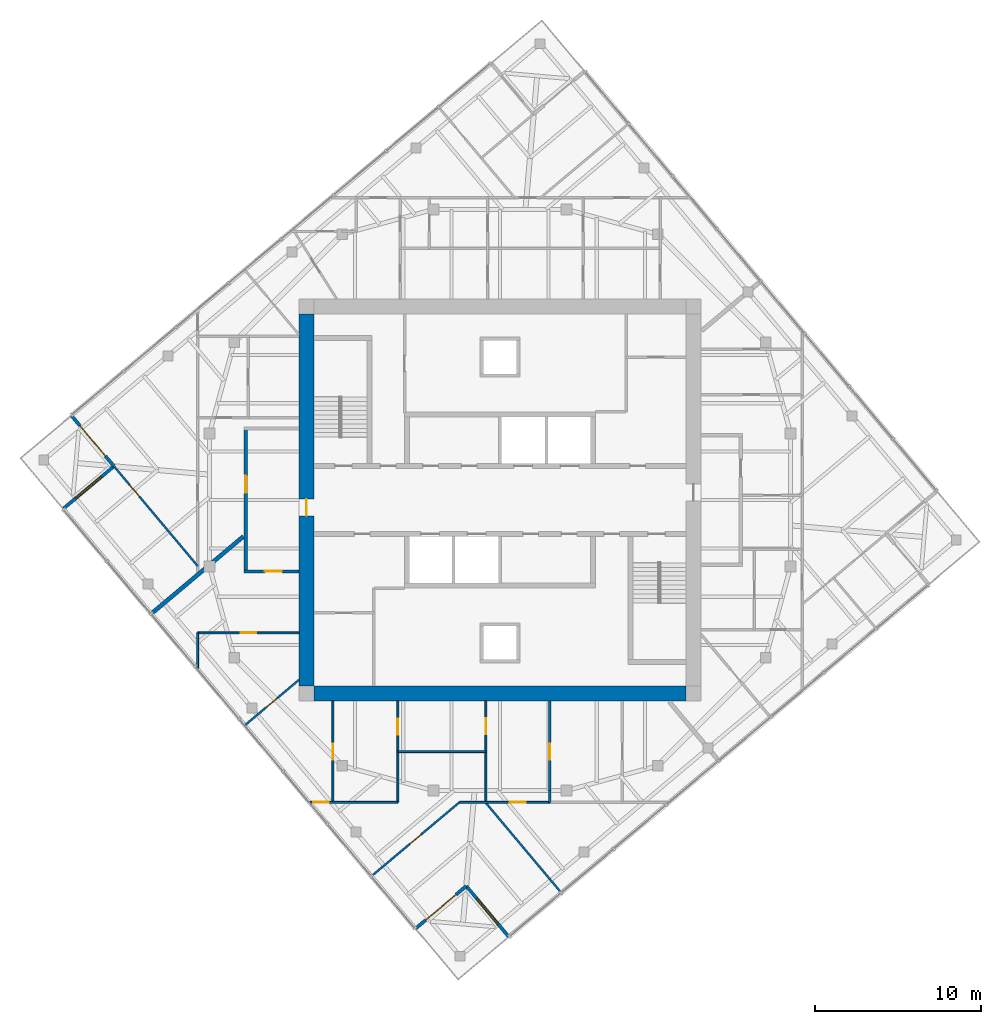
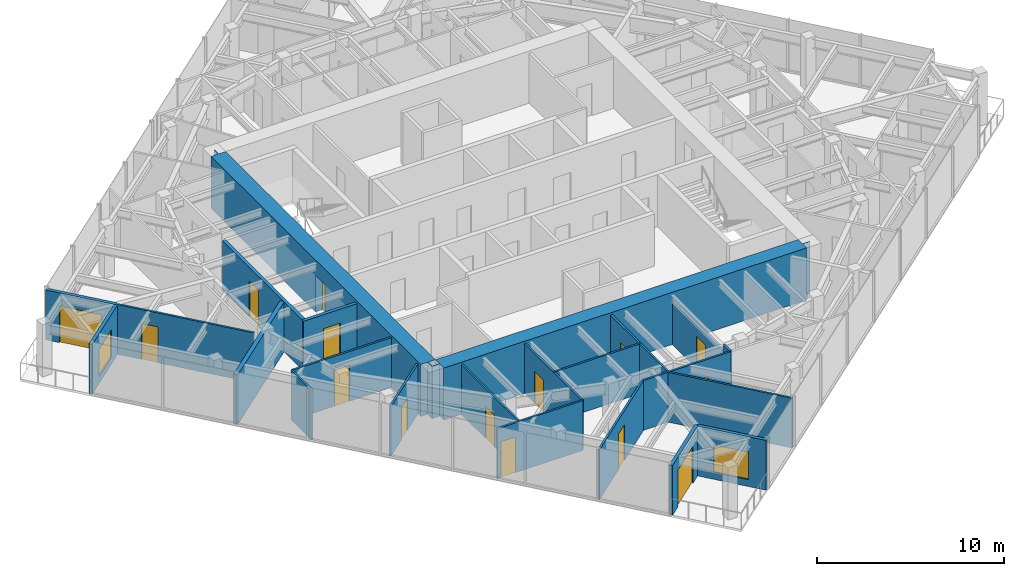
# One storey, part 7 of 12: 23 walls, 15 doors, 2 windows, 17 openings.
"""IFC4 building model written with IfcOpenShell, lengths in metres."""

from ifc_helpers import new_model, si_unit, direction, frame, frame_2d, origin, place, context, subcontext, project, spatial, polyline, rectangle, outline, extrude, material, layer, layer_set, type_object, element, fill, save


model = new_model("IFC4")

# Units and contexts
model_context = context("Model", 3, precision=1e-05, world=origin(), true_north=direction((0.0, 1.0)))
body_context = subcontext(model_context, "Body", "Model", "MODEL_VIEW")
ifc_project = project(units=[si_unit("LENGTHUNIT", "METRE"), si_unit("AREAUNIT", "SQUARE_METRE"), si_unit("VOLUMEUNIT", "CUBIC_METRE"), si_unit("PLANEANGLEUNIT", "RADIAN"), si_unit("MASSUNIT", "GRAM", prefix="KILO")], contexts=[model_context])

# Site, building, storey
site_placement = place(None, origin())
site = spatial("IfcSite", under=ifc_project, at=site_placement, CompositionType="ELEMENT")
building_placement = place(site_placement, origin())
building = spatial("IfcBuilding", under=site, at=building_placement, Name="Torsade Residences", CompositionType="ELEMENT")
storey_placement = place(building_placement, frame((0.0, 0.0, 293.0)))
storey = spatial("IfcBuildingStorey", under=building, at=storey_placement, Name="L81", CompositionType="ELEMENT", Elevation=293.0)

# Wall
ifc_material_1 = material(Name="Concrete 80 MPa", Category="concrete")
ifc_layer_1 = layer(ifc_material_1, 0.89990234375)
ifc_layer_set_1 = layer_set([ifc_layer_1], Name="Concrete 80 MPa")
wall_type_1 = type_object("IfcWallType", Name="CORE WALL 900", PredefinedType="SHEAR", material=ifc_layer_set_1)
wall_1_placement = place(storey_placement, frame((51.199951171875, 18.35009765625, 0.0), z_axis=(0.0, 0.0, 1.0), x_axis=(-1.0, 0.0, 0.0)))
element("IfcWall", 1, at=wall_1_placement, inside=storey, type_object=wall_type_1, Name="Core wall S L81", PredefinedType="SHEAR", context=body_context, shape_type="SweptSolid", body=[
    extrude(outline(polyline([(0.0, -0.449951171875), (22.39990234375, -0.449951171875), (22.39990234375, -0.02490234375), (22.849853515625, -0.02490234375), (22.849853515625, 0.02490234375), (22.39990234375, 0.02490234375), (22.39990234375, 0.449951171875), (0.0, 0.449951171875), (0.0, 0.02490234375), (-0.449951171875, 0.02490234375), (-0.449951171875, -0.02490234375), (0.0, -0.02490234375), (0.0, -0.449951171875)])), origin(), (0.0, 0.0, 1.0), 3.39990234375),
])

# Wall, opening, door
wall_2_placement = place(storey_placement, frame((28.35009765625, 41.199951171875, 0.0), z_axis=(0.0, 0.0, 1.0), x_axis=(0.0, -1.0, 0.0)))
wall_2 = element("IfcWall", 2, at=wall_2_placement, inside=storey, type_object=wall_type_1, Name="Core wall W L81", PredefinedType="SHEAR", context=body_context, shape_type="SweptSolid", body=[
    extrude(outline(polyline([(0.0, -0.449951171875), (22.39990234375, -0.449951171875), (22.39990234375, -0.02490234375), (22.849853515625, -0.02490234375), (22.849853515625, 0.02490234375), (22.39990234375, 0.02490234375), (22.39990234375, 0.449951171875), (0.0, 0.449951171875), (0.0, 0.02490234375), (-0.449951171875, 0.02490234375), (-0.449951171875, -0.02490234375), (0.0, -0.02490234375), (0.0, -0.449951171875)])), origin(), (0.0, 0.0, 1.0), 3.39990234375),
])
opening_1_placement = place(wall_2_placement, frame((11.139892578125, 0.0, 0.0)))
opening_1 = element("IfcOpeningElement", 3, at=opening_1_placement, cuts=wall_2, Name="Opening D04", PredefinedType="OPENING", context=body_context, shape_type="SweptSolid", body=[
    extrude(rectangle(XDim=1.02001953125, YDim=2.39990234375, at=frame_2d((0.510009765625, 1.199951171875))), frame((0.0, 0.4599609375, 0.0), z_axis=(0.0, -1.0, 0.0), x_axis=(1.0, 0.0, 0.0)), (0.0, 0.0, 1.0), 0.919921875),
])
ifc_material_2 = material(Name="Steel-framed fire door", Category="steel")
door_type_1 = type_object("IfcDoorType", Name="LOBBY SMOKE DOOR 1020x2400", OperationType="NOTDEFINED", PredefinedType="DOOR", material=ifc_material_2)
door_1_placement = place(opening_1_placement, origin())
door_1 = element("IfcDoor", 4, at=door_1_placement, inside=storey, type_object=door_type_1, Name="Lift lobby door W L81", OperationType="SINGLE_SWING_RIGHT", OverallHeight=2.39990234375, OverallWidth=1.02001953125, PredefinedType="DOOR", context=body_context, shape_type="SweptSolid", body=[
    extrude(rectangle(XDim=1.02001953125, YDim=2.39990234375, at=frame_2d((0.510009765625, 1.199951171875))), frame((0.0, 0.02490234375, 0.0), z_axis=(0.0, -1.0, 0.0), x_axis=(1.0, 0.0, 0.0)), (0.0, 0.0, 1.0), 0.050048828125),
])
fill(opening_1, door_1)

ifc_material_3 = material(Name="Plasterboard on steel stud", Category="steel")
ifc_layer_2 = layer(ifc_material_3, 0.199951171875)
ifc_layer_set_2 = layer_set([ifc_layer_2], Name="Plasterboard on steel stud")
wall_type_2 = type_object("IfcWallType", Name="CORRIDOR WALL 200", PredefinedType="PARTITIONING", material=ifc_layer_set_2)
wall_3_placement = place(storey_placement, frame((24.699951171875, 25.699951171875, 0.0), z_axis=(0.0, 0.0, 1.0), x_axis=(0.0, 1.0, 0.0)))
wall_3 = element("IfcWall", 5, at=wall_3_placement, inside=storey, type_object=wall_type_2, Name="Corridor wall L81", PredefinedType="PARTITIONING", context=body_context, shape_type="SweptSolid", body=[
    extrude(rectangle(XDim=8.60009765625, YDim=0.199951171875, at=frame_2d((4.300048828125, 0.0))), origin(), (0.0, 0.0, 1.0), 3.25),
])
opening_2_placement = place(wall_3_placement, frame((4.734375, 0.0, 0.0)))
opening_2 = element("IfcOpeningElement", 6, at=opening_2_placement, cuts=wall_3, Name="Opening D01", PredefinedType="OPENING", context=body_context, shape_type="SweptSolid", body=[
    extrude(rectangle(XDim=1.02001953125, YDim=2.340087890625, at=frame_2d((0.510009765625, 1.169921875))), frame((0.0, 0.10986328125, 0.0), z_axis=(0.0, -1.0, 0.0), x_axis=(1.0, 0.0, 0.0)), (0.0, 0.0, 1.0), 0.219970703125),
])
ifc_material_4 = material(Name="Solid-core timber fire door", Category="wood")
door_type_2 = type_object("IfcDoorType", Name="APARTMENT ENTRY DOOR 1020x2340", OperationType="NOTDEFINED", PredefinedType="DOOR", material=ifc_material_4)
door_2_placement = place(opening_2_placement, origin())
door_2 = element("IfcDoor", 7, at=door_2_placement, inside=storey, type_object=door_type_2, Name="Door Residential corridor to Kitchen and dining", OperationType="SINGLE_SWING_LEFT", OverallHeight=2.340087890625, OverallWidth=1.02001953125, PredefinedType="DOOR", context=body_context, shape_type="SweptSolid", body=[
    extrude(rectangle(XDim=1.02001953125, YDim=2.340087890625, at=frame_2d((0.510009765625, 1.169921875))), frame((0.0, 0.02490234375, 0.0), z_axis=(0.0, -1.0, 0.0), x_axis=(1.0, 0.0, 0.0)), (0.0, 0.0, 1.0), 0.050048828125),
])
fill(opening_2, door_2)

wall_4_placement = place(storey_placement, frame((27.89990234375, 25.699951171875, 0.0), z_axis=(0.0, 0.0, 1.0), x_axis=(-1.0, 0.0, 0.0)))
wall_4 = element("IfcWall", 8, at=wall_4_placement, inside=storey, type_object=wall_type_2, Name="Corridor wall L81", PredefinedType="PARTITIONING", context=body_context, shape_type="SweptSolid", body=[
    extrude(rectangle(XDim=3.2998046875, YDim=0.199951171875, at=frame_2d((1.64990234375, 0.0))), origin(), (0.0, 0.0, 1.0), 3.25),
])
opening_3_placement = place(wall_4_placement, frame((1.0400390625, 0.0, 0.0)))
opening_3 = element("IfcOpeningElement", 9, at=opening_3_placement, cuts=wall_4, Name="Opening D01", PredefinedType="OPENING", context=body_context, shape_type="SweptSolid", body=[
    extrude(rectangle(XDim=1.02001953125, YDim=2.340087890625, at=frame_2d((0.510009765625, 1.169921875))), frame((0.0, 0.10986328125, 0.0), z_axis=(0.0, -1.0, 0.0), x_axis=(1.0, 0.0, 0.0)), (0.0, 0.0, 1.0), 0.219970703125),
])
door_3_placement = place(opening_3_placement, origin())
door_3 = element("IfcDoor", 10, at=door_3_placement, inside=storey, type_object=door_type_2, Name="Door Residential corridor to Kitchen and dining", OperationType="SINGLE_SWING_LEFT", OverallHeight=2.340087890625, OverallWidth=1.02001953125, PredefinedType="DOOR", context=body_context, shape_type="SweptSolid", body=[
    extrude(rectangle(XDim=1.02001953125, YDim=2.340087890625, at=frame_2d((0.510009765625, 1.169921875))), frame((0.0, 0.02490234375, 0.0), z_axis=(0.0, -1.0, 0.0), x_axis=(1.0, 0.0, 0.0)), (0.0, 0.0, 1.0), 0.050048828125),
])
fill(opening_3, door_3)

ifc_material_5 = material(Name="Plasterboard on steel stud", Category="steel")
ifc_layer_3 = layer(ifc_material_5, 0.1201171875)
ifc_layer_set_3 = layer_set([ifc_layer_3], Name="Plasterboard on steel stud")
wall_type_3 = type_object("IfcWallType", Name="PARTITION 120", PredefinedType="PARTITIONING", material=ifc_layer_set_3)
wall_5_placement = place(storey_placement, frame((27.89990234375, 22.0, 0.0), z_axis=(0.0, 0.0, 1.0), x_axis=(-1.0, 0.0, 0.0)))
wall_5 = element("IfcWall", 11, at=wall_5_placement, inside=storey, type_object=wall_type_3, Name="Partition L81", PredefinedType="PARTITIONING", context=body_context, shape_type="SweptSolid", body=[
    extrude(rectangle(XDim=6.099853515625, YDim=0.1201171875, at=frame_2d((3.0498046875, 0.0))), origin(), (0.0, 0.0, 1.0), 3.25),
])
opening_4_placement = place(wall_5_placement, frame((2.590087890625, 0.0, 0.0)))
opening_4 = element("IfcOpeningElement", 12, at=opening_4_placement, cuts=wall_5, Name="Opening D02", PredefinedType="OPENING", context=body_context, shape_type="SweptSolid", body=[
    extrude(rectangle(XDim=0.919921875, YDim=2.340087890625, at=frame_2d((0.4599609375, 1.169921875))), frame((0.0, 0.070068359375, 0.0), z_axis=(0.0, -1.0, 0.0), x_axis=(1.0, 0.0, 0.0)), (0.0, 0.0, 1.0), 0.14013671875),
])
ifc_material_6 = material(Name="Hollow-core timber door", Category="wood")
door_type_3 = type_object("IfcDoorType", Name="INTERNAL DOOR 920x2340", OperationType="NOTDEFINED", PredefinedType="DOOR", material=ifc_material_6)
door_4_placement = place(opening_4_placement, origin())
door_4 = element("IfcDoor", 13, at=door_4_placement, inside=storey, type_object=door_type_3, Name="Door Kitchen and dining to Scullery", OperationType="SINGLE_SWING_RIGHT", OverallHeight=2.340087890625, OverallWidth=0.919921875, PredefinedType="DOOR", context=body_context, shape_type="SweptSolid", body=[
    extrude(rectangle(XDim=0.919921875, YDim=2.340087890625, at=frame_2d((0.4599609375, 1.169921875))), frame((0.0, 0.02490234375, 0.0), z_axis=(0.0, -1.0, 0.0), x_axis=(1.0, 0.0, 0.0)), (0.0, 0.0, 1.0), 0.050048828125),
])
fill(opening_4, door_4)

# Wall
wall_6_placement = place(storey_placement, frame((21.800048828125, 22.0, 0.0), z_axis=(0.0, 0.0, 1.0), x_axis=(0.0, -1.0, 0.0)))
element("IfcWall", 14, at=wall_6_placement, inside=storey, type_object=wall_type_3, Name="Partition L81", PredefinedType="PARTITIONING", context=body_context, shape_type="SweptSolid", body=[
    extrude(rectangle(XDim=2.14013671875, YDim=0.1201171875, at=frame_2d((1.070068359375, 0.0))), origin(), (0.0, 0.0, 1.0), 3.25),
])

# Wall, opening, door
wall_7_placement = place(storey_placement, frame((27.89990234375, 19.17236328125, 0.0), z_axis=(0.0, 0.0, 1.0), x_axis=(-0.766017381482, -0.642819859111, 0.0)))
wall_7 = element("IfcWall", 15, at=wall_7_placement, inside=storey, type_object=wall_type_3, Name="Partition L81", PredefinedType="PARTITIONING", context=body_context, shape_type="SweptSolid", body=[
    extrude(rectangle(XDim=4.23095703125, YDim=0.1201171875, at=frame_2d((2.115478515625, 0.0))), origin(), (0.0, 0.0, 1.0), 3.25),
])
opening_5_placement = place(wall_7_placement, frame((1.675537109375, 0.0, 0.0)))
opening_5 = element("IfcOpeningElement", 16, at=opening_5_placement, cuts=wall_7, Name="Opening D02L", PredefinedType="OPENING", context=body_context, shape_type="SweptSolid", body=[
    extrude(rectangle(XDim=0.919921875, YDim=2.10009765625, at=frame_2d((0.4599609375, 1.050048828125))), frame((0.0, 0.070068359375, 0.0), z_axis=(0.0, -1.0, 0.0), x_axis=(1.0, 0.0, 0.0)), (0.0, 0.0, 1.0), 0.14013671875),
])
ifc_material_7 = material(Name="Hollow-core timber door", Category="wood")
door_type_4 = type_object("IfcDoorType", Name="INTERNAL DOOR 920x2100", OperationType="NOTDEFINED", PredefinedType="DOOR", material=ifc_material_7)
door_5_placement = place(opening_5_placement, origin())
door_5 = element("IfcDoor", 17, at=door_5_placement, inside=storey, type_object=door_type_4, Name="Door Scullery to Pantry", OperationType="SINGLE_SWING_LEFT", OverallHeight=2.10009765625, OverallWidth=0.919921875, PredefinedType="DOOR", context=body_context, shape_type="SweptSolid", body=[
    extrude(rectangle(XDim=0.919921875, YDim=2.10009765625, at=frame_2d((0.4599609375, 1.050048828125))), frame((0.0, 0.02490234375, 0.0), z_axis=(0.0, -1.0, 0.0), x_axis=(1.0, 0.0, 0.0)), (0.0, 0.0, 1.0), 0.050048828125),
])
fill(opening_5, door_5)

wall_8_placement = place(storey_placement, frame((29.943603515625, 17.89990234375, 0.0), z_axis=(0.0, 0.0, 1.0), x_axis=(0.0, -1.0, 0.0)))
wall_8 = element("IfcWall", 18, at=wall_8_placement, inside=storey, type_object=wall_type_3, Name="Partition L81", PredefinedType="PARTITIONING", context=body_context, shape_type="SweptSolid", body=[
    extrude(rectangle(XDim=6.099853515625, YDim=0.1201171875, at=frame_2d((3.0498046875, 0.0))), origin(), (0.0, 0.0, 1.0), 3.25),
])
opening_6_placement = place(wall_8_placement, frame((2.570068359375, 0.0, 0.0)))
opening_6 = element("IfcOpeningElement", 19, at=opening_6_placement, cuts=wall_8, Name="Opening D05", PredefinedType="OPENING", context=body_context, shape_type="SweptSolid", body=[
    extrude(rectangle(XDim=0.9599609375, YDim=2.10009765625, at=frame_2d((0.47998046875, 1.050048828125))), frame((0.0, 0.070068359375, 0.0), z_axis=(0.0, -1.0, 0.0), x_axis=(1.0, 0.0, 0.0)), (0.0, 0.0, 1.0), 0.14013671875),
])
ifc_material_8 = material(Name="Hollow-core timber door in a steel cavity frame", Category="steel")
door_type_5 = type_object("IfcDoorType", Name="BATHROOM CAVITY SLIDING DOOR 960", OperationType="SLIDING_TO_LEFT", PredefinedType="DOOR", material=ifc_material_8)
door_6_placement = place(opening_6_placement, origin())
door_6 = element("IfcDoor", 20, at=door_6_placement, inside=storey, type_object=door_type_5, Name="Door Pantry to Laundry", OperationType="SLIDING_TO_LEFT", OverallHeight=2.10009765625, OverallWidth=0.9599609375, PredefinedType="DOOR", context=body_context, shape_type="SweptSolid", body=[
    extrude(rectangle(XDim=0.9599609375, YDim=2.10009765625, at=frame_2d((0.47998046875, 1.050048828125))), frame((0.0, 0.02490234375, 0.0), z_axis=(0.0, -1.0, 0.0), x_axis=(1.0, 0.0, 0.0)), (0.0, 0.0, 1.0), 0.050048828125),
])
fill(opening_6, door_6)

wall_9_placement = place(storey_placement, frame((33.843505859375, 11.800048828125, 0.0), z_axis=(0.0, 0.0, 1.0), x_axis=(-1.0, 0.0, 0.0)))
wall_9 = element("IfcWall", 21, at=wall_9_placement, inside=storey, type_object=wall_type_3, Name="Partition L81", PredefinedType="PARTITIONING", context=body_context, shape_type="SweptSolid", body=[
    extrude(rectangle(XDim=5.280517578125, YDim=0.1201171875, at=frame_2d((2.64013671875, 0.0))), origin(), (0.0, 0.0, 1.0), 3.25),
])
opening_7_placement = place(wall_9_placement, frame((4.156494140625, 0.0, 0.0)))
opening_7 = element("IfcOpeningElement", 22, at=opening_7_placement, cuts=wall_9, Name="Opening D02", PredefinedType="OPENING", context=body_context, shape_type="SweptSolid", body=[
    extrude(rectangle(XDim=0.919921875, YDim=2.340087890625, at=frame_2d((0.4599609375, 1.169921875))), frame((0.0, 0.070068359375, 0.0), z_axis=(0.0, -1.0, 0.0), x_axis=(1.0, 0.0, 0.0)), (0.0, 0.0, 1.0), 0.14013671875),
])
door_7_placement = place(opening_7_placement, origin())
door_7 = element("IfcDoor", 23, at=door_7_placement, inside=storey, type_object=door_type_3, Name="Door Pantry to Bedroom 2", OperationType="SINGLE_SWING_LEFT", OverallHeight=2.340087890625, OverallWidth=0.919921875, PredefinedType="DOOR", context=body_context, shape_type="SweptSolid", body=[
    extrude(rectangle(XDim=0.919921875, YDim=2.340087890625, at=frame_2d((0.4599609375, 1.169921875))), frame((0.0, 0.02490234375, 0.0), z_axis=(0.0, -1.0, 0.0), x_axis=(1.0, 0.0, 0.0)), (0.0, 0.0, 1.0), 0.050048828125),
])
fill(opening_7, door_7)

wall_10_placement = place(storey_placement, frame((33.843505859375, 17.89990234375, 0.0), z_axis=(0.0, 0.0, 1.0), x_axis=(0.0, -1.0, 0.0)))
wall_10 = element("IfcWall", 24, at=wall_10_placement, inside=storey, type_object=wall_type_3, Name="Partition L81", PredefinedType="PARTITIONING", context=body_context, shape_type="SweptSolid", body=[
    extrude(rectangle(XDim=6.099853515625, YDim=0.1201171875, at=frame_2d((3.0498046875, 0.0))), origin(), (0.0, 0.0, 1.0), 3.25),
])
opening_8_placement = place(wall_10_placement, frame((1.070068359375, 0.0, 0.0)))
opening_8 = element("IfcOpeningElement", 25, at=opening_8_placement, cuts=wall_10, Name="Opening D05", PredefinedType="OPENING", context=body_context, shape_type="SweptSolid", body=[
    extrude(rectangle(XDim=0.9599609375, YDim=2.10009765625, at=frame_2d((0.47998046875, 1.050048828125))), frame((0.0, 0.070068359375, 0.0), z_axis=(0.0, -1.0, 0.0), x_axis=(1.0, 0.0, 0.0)), (0.0, 0.0, 1.0), 0.14013671875),
])
door_8_placement = place(opening_8_placement, origin())
door_8 = element("IfcDoor", 26, at=door_8_placement, inside=storey, type_object=door_type_5, Name="Door Laundry to Bathroom", OperationType="SLIDING_TO_LEFT", OverallHeight=2.10009765625, OverallWidth=0.9599609375, PredefinedType="DOOR", context=body_context, shape_type="SweptSolid", body=[
    extrude(rectangle(XDim=0.9599609375, YDim=2.10009765625, at=frame_2d((0.47998046875, 1.050048828125))), frame((0.0, 0.02490234375, 0.0), z_axis=(0.0, -1.0, 0.0), x_axis=(1.0, 0.0, 0.0)), (0.0, 0.0, 1.0), 0.050048828125),
])
fill(opening_8, door_8)

wall_11_placement = place(storey_placement, frame((39.156005859375, 17.89990234375, 0.0), z_axis=(0.0, 0.0, 1.0), x_axis=(0.0, -1.0, 0.0)))
wall_11 = element("IfcWall", 27, at=wall_11_placement, inside=storey, type_object=wall_type_3, Name="Partition L81", PredefinedType="PARTITIONING", context=body_context, shape_type="SweptSolid", body=[
    extrude(rectangle(XDim=6.099853515625, YDim=0.1201171875, at=frame_2d((3.0498046875, 0.0))), origin(), (0.0, 0.0, 1.0), 3.25),
])
opening_9_placement = place(wall_11_placement, frame((1.044921875, 0.0, 0.0)))
opening_9 = element("IfcOpeningElement", 28, at=opening_9_placement, cuts=wall_11, Name="Opening D05", PredefinedType="OPENING", context=body_context, shape_type="SweptSolid", body=[
    extrude(rectangle(XDim=0.9599609375, YDim=2.10009765625, at=frame_2d((0.47998046875, 1.050048828125))), frame((0.0, 0.070068359375, 0.0), z_axis=(0.0, -1.0, 0.0), x_axis=(1.0, 0.0, 0.0)), (0.0, 0.0, 1.0), 0.14013671875),
])
door_9_placement = place(opening_9_placement, origin())
door_9 = element("IfcDoor", 29, at=door_9_placement, inside=storey, type_object=door_type_5, Name="Door Bathroom to Ensuite", OperationType="SLIDING_TO_LEFT", OverallHeight=2.10009765625, OverallWidth=0.9599609375, PredefinedType="DOOR", context=body_context, shape_type="SweptSolid", body=[
    extrude(rectangle(XDim=0.9599609375, YDim=2.10009765625, at=frame_2d((0.47998046875, 1.050048828125))), frame((0.0, 0.02490234375, 0.0), z_axis=(0.0, -1.0, 0.0), x_axis=(1.0, 0.0, 0.0)), (0.0, 0.0, 1.0), 0.050048828125),
])
fill(opening_9, door_9)

# Wall
wall_12_placement = place(storey_placement, frame((39.156005859375, 14.85009765625, 0.0), z_axis=(0.0, 0.0, 1.0), x_axis=(-1.0, 0.0, 0.0)))
element("IfcWall", 30, at=wall_12_placement, inside=storey, type_object=wall_type_3, Name="Partition L81", PredefinedType="PARTITIONING", context=body_context, shape_type="SweptSolid", body=[
    extrude(rectangle(XDim=5.3125, YDim=0.1201171875, at=frame_2d((2.65625, 0.0))), origin(), (0.0, 0.0, 1.0), 3.25),
])

# Wall, opening, door
wall_13_placement = place(storey_placement, frame((42.985595703125, 11.800048828125, 0.0), z_axis=(0.0, 0.0, 1.0), x_axis=(-1.0, 0.0, 0.0)))
wall_13 = element("IfcWall", 31, at=wall_13_placement, inside=storey, type_object=wall_type_3, Name="Partition L81", PredefinedType="PARTITIONING", context=body_context, shape_type="SweptSolid", body=[
    extrude(rectangle(XDim=5.42333984375, YDim=0.1201171875, at=frame_2d((2.711669921875, 0.0))), origin(), (0.0, 0.0, 1.0), 3.25),
])
opening_10_placement = place(wall_13_placement, frame((1.434814453125, 0.0, 0.0)))
opening_10 = element("IfcOpeningElement", 32, at=opening_10_placement, cuts=wall_13, Name="Opening D05", PredefinedType="OPENING", context=body_context, shape_type="SweptSolid", body=[
    extrude(rectangle(XDim=0.9599609375, YDim=2.10009765625, at=frame_2d((0.47998046875, 1.050048828125))), frame((0.0, 0.070068359375, 0.0), z_axis=(0.0, -1.0, 0.0), x_axis=(1.0, 0.0, 0.0)), (0.0, 0.0, 1.0), 0.14013671875),
])
door_10_placement = place(opening_10_placement, origin())
door_10 = element("IfcDoor", 33, at=door_10_placement, inside=storey, type_object=door_type_5, Name="Door Ensuite to Bedroom 1", OperationType="SLIDING_TO_LEFT", OverallHeight=2.10009765625, OverallWidth=0.9599609375, PredefinedType="DOOR", context=body_context, shape_type="SweptSolid", body=[
    extrude(rectangle(XDim=0.9599609375, YDim=2.10009765625, at=frame_2d((0.47998046875, 1.050048828125))), frame((0.0, 0.02490234375, 0.0), z_axis=(0.0, -1.0, 0.0), x_axis=(1.0, 0.0, 0.0)), (0.0, 0.0, 1.0), 0.050048828125),
])
fill(opening_10, door_10)

# Wall
wall_14_placement = place(storey_placement, frame((39.1171875, 11.800048828125, 0.0), z_axis=(0.0, 0.0, 1.0), x_axis=(0.642790379821, -0.766042118691, 0.0)))
element("IfcWall", 34, at=wall_14_placement, inside=storey, type_object=wall_type_3, Name="Partition L81", PredefinedType="PARTITIONING", context=body_context, shape_type="SweptSolid", body=[
    extrude(rectangle(XDim=7.08544921875, YDim=0.1201171875, at=frame_2d((3.542724609375, 0.0))), origin(), (0.0, 0.0, 1.0), 3.25),
])

# Wall, opening, door
wall_15_placement = place(storey_placement, frame((32.28125, 7.36865234375, 0.0), z_axis=(0.0, 0.0, 1.0), x_axis=(0.766036842262, 0.642796667926, 0.0)))
wall_15 = element("IfcWall", 35, at=wall_15_placement, inside=storey, type_object=wall_type_3, Name="Partition L81", PredefinedType="PARTITIONING", context=body_context, shape_type="SweptSolid", body=[
    extrude(rectangle(XDim=6.89404296875, YDim=0.1201171875, at=frame_2d((3.447021484375, 0.0))), origin(), (0.0, 0.0, 1.0), 3.25),
])
opening_11_placement = place(wall_15_placement, frame((2.966796875, 0.0, 0.0)))
opening_11 = element("IfcOpeningElement", 36, at=opening_11_placement, cuts=wall_15, Name="Opening D02", PredefinedType="OPENING", context=body_context, shape_type="SweptSolid", body=[
    extrude(rectangle(XDim=0.919921875, YDim=2.340087890625, at=frame_2d((0.4599609375, 1.169921875))), frame((0.0, 0.070068359375, 0.0), z_axis=(0.0, -1.0, 0.0), x_axis=(1.0, 0.0, 0.0)), (0.0, 0.0, 1.0), 0.14013671875),
])
door_11_placement = place(opening_11_placement, origin())
door_11 = element("IfcDoor", 37, at=door_11_placement, inside=storey, type_object=door_type_3, Name="Door Bedroom 2 to Living room", OperationType="SINGLE_SWING_LEFT", OverallHeight=2.340087890625, OverallWidth=0.919921875, PredefinedType="DOOR", context=body_context, shape_type="SweptSolid", body=[
    extrude(rectangle(XDim=0.919921875, YDim=2.340087890625, at=frame_2d((0.4599609375, 1.169921875))), frame((0.0, 0.02490234375, 0.0), z_axis=(0.0, -1.0, 0.0), x_axis=(1.0, 0.0, 0.0)), (0.0, 0.0, 1.0), 0.050048828125),
])
fill(opening_11, door_11)

wall_16_placement = place(storey_placement, frame((21.800048828125, 26.0205078125, 0.0), z_axis=(0.0, 0.0, 1.0), x_axis=(-0.642785106342, 0.766046543668, 0.0)))
wall_16 = element("IfcWall", 38, at=wall_16_placement, inside=storey, type_object=wall_type_3, Name="Partition L81", PredefinedType="PARTITIONING", context=body_context, shape_type="SweptSolid", body=[
    extrude(rectangle(XDim=7.809814453125, YDim=0.1201171875, at=frame_2d((3.90478515625, 0.0))), origin(), (0.0, 0.0, 1.0), 3.25),
])
opening_12_placement = place(wall_16_placement, frame((5.46484375, 0.0, 0.0)))
opening_12 = element("IfcOpeningElement", 39, at=opening_12_placement, cuts=wall_16, Name="Opening D02", PredefinedType="OPENING", context=body_context, shape_type="SweptSolid", body=[
    extrude(rectangle(XDim=0.919921875, YDim=2.340087890625, at=frame_2d((0.4599609375, 1.169921875))), frame((0.0, 0.070068359375, 0.0), z_axis=(0.0, -1.0, 0.0), x_axis=(1.0, 0.0, 0.0)), (0.0, 0.0, 1.0), 0.14013671875),
])
door_12_placement = place(opening_12_placement, origin())
door_12 = element("IfcDoor", 40, at=door_12_placement, inside=storey, type_object=door_type_3, Name="Door Living room to Bedroom 1", OperationType="SINGLE_SWING_LEFT", OverallHeight=2.340087890625, OverallWidth=0.919921875, PredefinedType="DOOR", context=body_context, shape_type="SweptSolid", body=[
    extrude(rectangle(XDim=0.919921875, YDim=2.340087890625, at=frame_2d((0.4599609375, 1.169921875))), frame((0.0, 0.02490234375, 0.0), z_axis=(0.0, -1.0, 0.0), x_axis=(1.0, 0.0, 0.0)), (0.0, 0.0, 1.0), 0.050048828125),
])
fill(opening_12, door_12)

# Wall
ifc_material_9 = material(Name="Masonry-lined stud party wall", Category="masonry")
ifc_layer_4 = layer(ifc_material_9, 0.25)
ifc_layer_set_4 = layer_set([ifc_layer_4], Name="Masonry-lined stud party wall")
wall_type_4 = type_object("IfcWallType", Name="PARTY WALL 250", PredefinedType="PARTITIONING", material=ifc_layer_set_4)
wall_17_placement = place(storey_placement, frame((18.9931640625, 23.142822265625, 0.0), z_axis=(0.0, 0.0, 1.0), x_axis=(0.766054150891, 0.642776040237, 0.0)))
element("IfcWall", 41, at=wall_17_placement, inside=storey, type_object=wall_type_4, Name="Party wall L81", PredefinedType="PARTITIONING", context=body_context, shape_type="SweptSolid", body=[
    extrude(rectangle(XDim=7.254150390625, YDim=0.25, at=frame_2d((3.626953125, 0.0))), origin(), (0.0, 0.0, 1.0), 3.25),
])

# Wall, opening, door
ifc_material_10 = material(Name="Reinforced blockwork", Category="masonry")
ifc_layer_5 = layer(ifc_material_10, 0.14990234375)
ifc_layer_set_5 = layer_set([ifc_layer_5], Name="Reinforced blockwork")
wall_type_5 = type_object("IfcWallType", Name="SERVICE ROOM WALL 150", PredefinedType="SOLIDWALL", material=ifc_layer_set_5)
wall_18_placement = place(storey_placement, frame((42.985595703125, 17.89990234375, 0.0), z_axis=(0.0, 0.0, 1.0), x_axis=(0.0, -1.0, 0.0)))
wall_18 = element("IfcWall", 42, at=wall_18_placement, inside=storey, type_object=wall_type_5, Name="Service room wall L81", PredefinedType="SOLIDWALL", context=body_context, shape_type="SweptSolid", body=[
    extrude(rectangle(XDim=5.39990234375, YDim=0.14990234375, at=frame_2d((2.699951171875, 0.0))), origin(), (0.0, 0.0, 1.0), 2.7958984375),
])
opening_13_placement = place(wall_18_placement, frame((2.570068359375, 0.0, 0.0)))
opening_13 = element("IfcOpeningElement", 43, at=opening_13_placement, cuts=wall_18, Name="Opening D05", PredefinedType="OPENING", context=body_context, shape_type="SweptSolid", body=[
    extrude(rectangle(XDim=0.9599609375, YDim=2.10009765625, at=frame_2d((0.47998046875, 1.050048828125))), frame((0.0, 0.0849609375, 0.0), z_axis=(0.0, -1.0, 0.0), x_axis=(1.0, 0.0, 0.0)), (0.0, 0.0, 1.0), 0.169921875),
])
door_13_placement = place(opening_13_placement, origin())
door_13 = element("IfcDoor", 44, at=door_13_placement, inside=storey, type_object=door_type_5, Name="Door Ensuite to Linen store", OperationType="SLIDING_TO_LEFT", OverallHeight=2.10009765625, OverallWidth=0.9599609375, PredefinedType="DOOR", context=body_context, shape_type="SweptSolid", body=[
    extrude(rectangle(XDim=0.9599609375, YDim=2.10009765625, at=frame_2d((0.47998046875, 1.050048828125))), frame((0.0, 0.02490234375, 0.0), z_axis=(0.0, -1.0, 0.0), x_axis=(1.0, 0.0, 0.0)), (0.0, 0.0, 1.0), 0.050048828125),
])
fill(opening_13, door_13)

# Wall
wall_19_placement = place(storey_placement, frame((42.985595703125, 12.5, 0.0), z_axis=(0.0, 0.0, 1.0), x_axis=(0.0, -1.0, 0.0)))
element("IfcWall", 45, at=wall_19_placement, inside=storey, type_object=wall_type_5, Name="Service room wall L81", PredefinedType="SOLIDWALL", context=body_context, shape_type="SweptSolid", body=[
    extrude(rectangle(XDim=0.699951171875, YDim=0.14990234375, at=frame_2d((0.35009765625, 0.0))), origin(), (0.0, 0.0, 1.0), 3.25),
])

# Wall, opening, door
ifc_material_11 = material(Name="Stone-faced precast concrete 40 MPa panel", Category="masonry")
ifc_layer_6 = layer(ifc_material_11, 0.199951171875)
ifc_layer_set_6 = layer_set([ifc_layer_6], Name="Stone-faced precast concrete 40 MPa panel")
wall_type_6 = type_object("IfcWallType", Name="TERRACE WALL 200", PredefinedType="SOLIDWALL", material=ifc_layer_set_6)
wall_20_placement = place(storey_placement, frame((14.18310546875, 35.097900390625, 0.0), z_axis=(0.0, 0.0, 1.0), x_axis=(0.642768287094, -0.766060656284, 0.0)))
wall_20 = element("IfcWall", 46, at=wall_20_placement, inside=storey, type_object=wall_type_6, Name="Terrace wall L81 8", PredefinedType="SOLIDWALL", context=body_context, shape_type="SweptSolid", body=[
    extrude(rectangle(XDim=4.0, YDim=0.199951171875, at=frame_2d((2.0, 0.0))), origin(), (0.0, 0.0, 1.0), 3.25),
])
opening_14_placement = place(wall_20_placement, frame((0.800048828125, 0.0, 0.0)))
opening_14 = element("IfcOpeningElement", 47, at=opening_14_placement, cuts=wall_20, Name="Opening D10", PredefinedType="OPENING", context=body_context, shape_type="SweptSolid", body=[
    extrude(rectangle(XDim=2.39990234375, YDim=2.39990234375, at=frame_2d((1.199951171875, 1.199951171875))), frame((0.0, 0.10986328125, 0.0), z_axis=(0.0, -1.0, 0.0), x_axis=(1.0, 0.0, 0.0)), (0.0, 0.0, 1.0), 0.219970703125),
])
ifc_material_12 = material(Name="Aluminium-framed glass door", Category="aluminium")
door_type_6 = type_object("IfcDoorType", Name="TERRACE SLIDING DOOR 2400", OperationType="SLIDING_TO_LEFT", PredefinedType="DOOR", material=ifc_material_12)
door_14_placement = place(opening_14_placement, origin())
door_14 = element("IfcDoor", 48, at=door_14_placement, inside=storey, type_object=door_type_6, Name="Terrace door L81 8", OperationType="SLIDING_TO_LEFT", OverallHeight=2.39990234375, OverallWidth=2.39990234375, PredefinedType="DOOR", context=body_context, shape_type="SweptSolid", body=[
    extrude(rectangle(XDim=2.39990234375, YDim=2.39990234375, at=frame_2d((1.199951171875, 1.199951171875))), frame((0.0, 0.02490234375, 0.0), z_axis=(0.0, -1.0, 0.0), x_axis=(1.0, 0.0, 0.0)), (0.0, 0.0, 1.0), 0.050048828125),
])
fill(opening_14, door_14)

# Wall, opening, window
wall_21_placement = place(storey_placement, frame((16.754150390625, 32.03369140625, 0.0), z_axis=(0.0, 0.0, 1.0), x_axis=(-0.766035437498, -0.642798342015, 0.0)))
wall_21 = element("IfcWall", 49, at=wall_21_placement, inside=storey, type_object=wall_type_6, Name="Terrace wall L81 9", PredefinedType="SOLIDWALL", context=body_context, shape_type="SweptSolid", body=[
    extrude(rectangle(XDim=3.999755859375, YDim=0.199951171875, at=frame_2d((2.0, 0.0))), origin(), (0.0, 0.0, 1.0), 3.25),
])
opening_15_placement = place(wall_21_placement, frame((1.0, 0.0, 0.449951171875)))
opening_15 = element("IfcOpeningElement", 50, at=opening_15_placement, cuts=wall_21, Name="Opening W1B", PredefinedType="OPENING", context=body_context, shape_type="SweptSolid", body=[
    extrude(rectangle(XDim=2.0, YDim=1.800048828125, at=frame_2d((1.0, 0.89990234375))), frame((0.0, 0.10986328125, 0.0), z_axis=(0.0, -1.0, 0.0), x_axis=(1.0, 0.0, 0.0)), (0.0, 0.0, 1.0), 0.219970703125),
])
ifc_material_13 = material(Name="Aluminium-framed glass window", Category="aluminium")
window_type = type_object("IfcWindowType", Name="TERRACE WINDOW 2000x1800", PartitioningType="SINGLE_PANEL", PredefinedType="WINDOW", material=ifc_material_13)
window_1_placement = place(opening_15_placement, origin())
window_1 = element("IfcWindow", 51, at=window_1_placement, inside=storey, type_object=window_type, Name="Terrace window L81 9", OverallHeight=1.800048828125, OverallWidth=2.0, PartitioningType="SINGLE_PANEL", PredefinedType="WINDOW", context=body_context, shape_type="SweptSolid", body=[
    extrude(rectangle(XDim=2.0, YDim=1.800048828125, at=frame_2d((1.0, 0.89990234375))), frame((0.0, 0.030029296875, 0.0), z_axis=(0.0, -1.0, 0.0), x_axis=(1.0, 0.0, 0.0)), (0.0, 0.0, 1.0), 0.06005859375),
])
fill(opening_15, window_1)

# Wall, opening, door
wall_22_placement = place(storey_placement, frame((34.902099609375, 4.18310546875, 0.0), z_axis=(0.0, 0.0, 1.0), x_axis=(0.766060656284, 0.642768287094, 0.0)))
wall_22 = element("IfcWall", 52, at=wall_22_placement, inside=storey, type_object=wall_type_6, Name="Terrace wall L81 11", PredefinedType="SOLIDWALL", context=body_context, shape_type="SweptSolid", body=[
    extrude(rectangle(XDim=4.0, YDim=0.199951171875, at=frame_2d((2.0, 0.0))), origin(), (0.0, 0.0, 1.0), 3.25),
])
opening_16_placement = place(wall_22_placement, frame((0.800048828125, 0.0, 0.0)))
opening_16 = element("IfcOpeningElement", 53, at=opening_16_placement, cuts=wall_22, Name="Opening D10", PredefinedType="OPENING", context=body_context, shape_type="SweptSolid", body=[
    extrude(rectangle(XDim=2.39990234375, YDim=2.39990234375, at=frame_2d((1.199951171875, 1.199951171875))), frame((0.0, 0.10986328125, 0.0), z_axis=(0.0, -1.0, 0.0), x_axis=(1.0, 0.0, 0.0)), (0.0, 0.0, 1.0), 0.219970703125),
])
door_15_placement = place(opening_16_placement, origin())
door_15 = element("IfcDoor", 54, at=door_15_placement, inside=storey, type_object=door_type_6, Name="Terrace door L81 11", OperationType="SLIDING_TO_LEFT", OverallHeight=2.39990234375, OverallWidth=2.39990234375, PredefinedType="DOOR", context=body_context, shape_type="SweptSolid", body=[
    extrude(rectangle(XDim=2.39990234375, YDim=2.39990234375, at=frame_2d((1.199951171875, 1.199951171875))), frame((0.0, 0.02490234375, 0.0), z_axis=(0.0, -1.0, 0.0), x_axis=(1.0, 0.0, 0.0)), (0.0, 0.0, 1.0), 0.050048828125),
])
fill(opening_16, door_15)

# Wall, opening, window
wall_23_placement = place(storey_placement, frame((37.96630859375, 6.754150390625, 0.0), z_axis=(0.0, 0.0, 1.0), x_axis=(0.642798342015, -0.766035437498, 0.0)))
wall_23 = element("IfcWall", 55, at=wall_23_placement, inside=storey, type_object=wall_type_6, Name="Terrace wall L81 12", PredefinedType="SOLIDWALL", context=body_context, shape_type="SweptSolid", body=[
    extrude(rectangle(XDim=3.999755859375, YDim=0.199951171875, at=frame_2d((2.0, 0.0))), origin(), (0.0, 0.0, 1.0), 3.25),
])
opening_17_placement = place(wall_23_placement, frame((1.0, 0.0, 0.449951171875)))
opening_17 = element("IfcOpeningElement", 56, at=opening_17_placement, cuts=wall_23, Name="Opening W1B", PredefinedType="OPENING", context=body_context, shape_type="SweptSolid", body=[
    extrude(rectangle(XDim=2.0, YDim=1.800048828125, at=frame_2d((1.0, 0.89990234375))), frame((0.0, 0.10986328125, 0.0), z_axis=(0.0, -1.0, 0.0), x_axis=(1.0, 0.0, 0.0)), (0.0, 0.0, 1.0), 0.219970703125),
])
window_2_placement = place(opening_17_placement, origin())
window_2 = element("IfcWindow", 57, at=window_2_placement, inside=storey, type_object=window_type, Name="Terrace window L81 12", OverallHeight=1.800048828125, OverallWidth=2.0, PartitioningType="SINGLE_PANEL", PredefinedType="WINDOW", context=body_context, shape_type="SweptSolid", body=[
    extrude(rectangle(XDim=2.0, YDim=1.800048828125, at=frame_2d((1.0, 0.89990234375))), frame((0.0, 0.030029296875, 0.0), z_axis=(0.0, -1.0, 0.0), x_axis=(1.0, 0.0, 0.0)), (0.0, 0.0, 1.0), 0.06005859375),
])
fill(opening_17, window_2)

save(model, "model.ifc")
